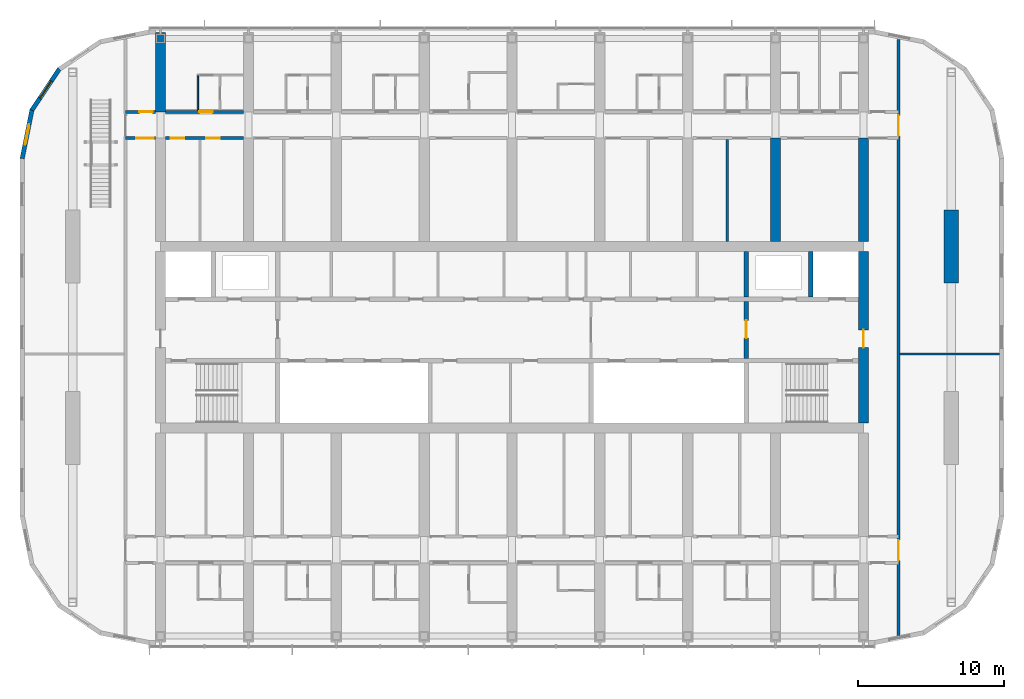
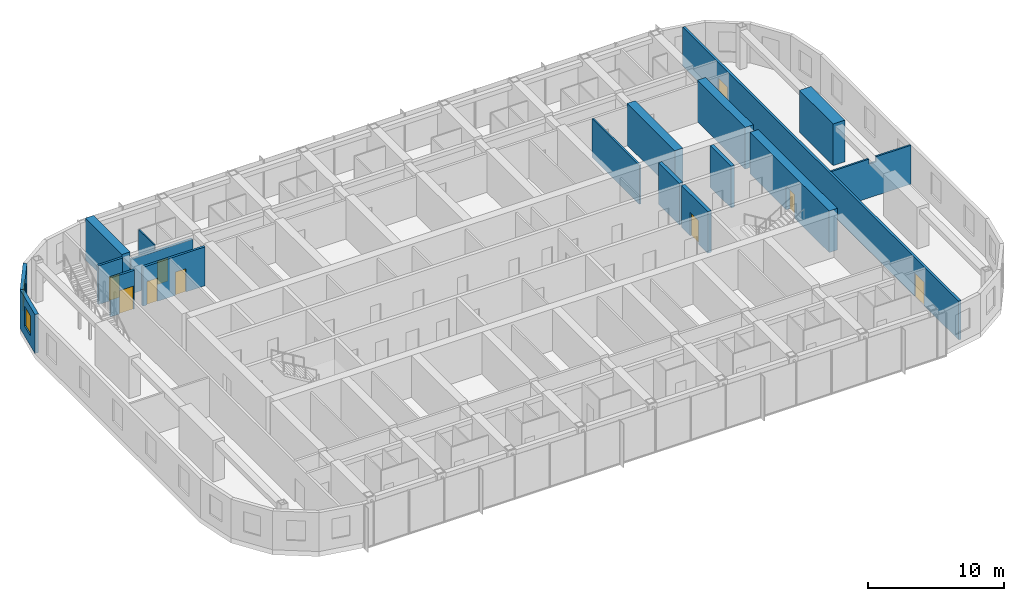
# One storey, part 17 of 27: 18 walls, 9 doors, 2 windows, 11 openings.
"""IFC4 building model written with IfcOpenShell, lengths in metres."""

from ifc_helpers import new_model, si_unit, direction, frame, frame_2d, origin, place, context, subcontext, project, spatial, polyline, rectangle, outline, extrude, material, layer, layer_set, type_object, element, fill, save


model = new_model("IFC4")

# Units and contexts
model_context = context("Model", 3, precision=1e-05, world=origin(), true_north=direction((0.0, 1.0)))
body_context = subcontext(model_context, "Body", "Model", "MODEL_VIEW")
ifc_project = project(units=[si_unit("LENGTHUNIT", "METRE"), si_unit("AREAUNIT", "SQUARE_METRE"), si_unit("VOLUMEUNIT", "CUBIC_METRE"), si_unit("PLANEANGLEUNIT", "RADIAN"), si_unit("MASSUNIT", "GRAM", prefix="KILO")], contexts=[model_context])

# Site, building, storey
site_placement = place(None, origin())
site = spatial("IfcSite", under=ifc_project, at=site_placement, CompositionType="ELEMENT")
building_placement = place(site_placement, origin())
building = spatial("IfcBuilding", under=site, at=building_placement, Name="Orbita Commons", CompositionType="ELEMENT")
storey_placement = place(building_placement, frame((0.0, 0.0, 246.550048828125)))
storey = spatial("IfcBuildingStorey", under=building, at=storey_placement, Name="L61", CompositionType="ELEMENT", Elevation=246.550048828125)

# Wall, opening, door
ifc_material_1 = material(Name="Concrete C50/60", Category="concrete")
ifc_layer_1 = layer(ifc_material_1, 0.300048828125)
ifc_layer_set_1 = layer_set([ifc_layer_1], Name="Concrete C50/60")
wall_type_1 = type_object("IfcWallType", Name="Core inner wall 300 C50/60", PredefinedType="SHEAR", material=ifc_layer_set_1)
wall_1_placement = place(storey_placement, frame((58.0, 30.550048828125, 0.0), z_axis=(0.0, 0.0, 1.0), x_axis=(0.0, 1.0, 0.0)))
wall_1 = element("IfcWall", 1, at=wall_1_placement, inside=storey, type_object=wall_type_1, Name="Firefighting lobby wall east L61", PredefinedType="SHEAR", context=body_context, shape_type="SweptSolid", body=[
    extrude(rectangle(XDim=3.89990234375, YDim=0.300048828125, at=frame_2d((1.949951171875, 0.0))), origin(), (0.0, 0.0, 1.0), 3.75),
])
opening_1_placement = place(wall_1_placement, frame((1.39990234375, 0.0, 0.0)))
opening_1 = element("IfcOpeningElement", 2, at=opening_1_placement, cuts=wall_1, Name="Opening D04", PredefinedType="OPENING", context=body_context, shape_type="SweptSolid", body=[
    extrude(rectangle(XDim=1.199951171875, YDim=2.10009765625, at=frame_2d((0.60009765625, 1.050048828125))), frame((0.0, 0.159912109375, 0.0), z_axis=(0.0, -1.0, 0.0), x_axis=(1.0, 0.0, 0.0)), (0.0, 0.0, 1.0), 0.320068359375),
])
ifc_material_2 = material(Name="Steel-faced fire door leaf", Category="steel")
door_type_1 = type_object("IfcDoorType", Name="Service door 20 min 1200x2100", OperationType="SINGLE_SWING_LEFT", PredefinedType="DOOR", material=ifc_material_2)
door_1_placement = place(opening_1_placement, origin())
door_1 = element("IfcDoor", 3, at=door_1_placement, inside=storey, type_object=door_type_1, Name="Lift lobby door east", OperationType="SINGLE_SWING_LEFT", OverallHeight=2.10009765625, OverallWidth=1.199951171875, PredefinedType="DOOR", context=body_context, shape_type="SweptSolid", body=[
    extrude(rectangle(XDim=1.199951171875, YDim=2.10009765625, at=frame_2d((0.60009765625, 1.050048828125))), frame((0.0, 0.02490234375, 0.0), z_axis=(0.0, -1.0, 0.0), x_axis=(1.0, 0.0, 0.0)), (0.0, 0.0, 1.0), 0.050048828125),
])
fill(opening_1, door_1)

# Walls
for number, where, z_axis, x_axis, name in (
    (4, (62.39990234375, 34.75, 0.0), (0.0, 0.0, 1.0), (0.0, 1.0, 0.0), "Firefighting lift FL2 shaft wall L61"),
    (5, (58.0, 34.75, 0.0), (0.0, 0.0, 1.0), (0.0, 1.0, 0.0), "Riser wall east L61"),
):
    element("IfcWall", number, at=place(storey_placement, frame(where, z_axis=z_axis, x_axis=x_axis)), inside=storey, type_object=wall_type_1, Name=name, PredefinedType="SHEAR", context=body_context, shape_type="SweptSolid", body=[
        extrude(rectangle(XDim=3.10009765625, YDim=0.300048828125, at=frame_2d((1.550048828125, 0.0))), origin(), (0.0, 0.0, 1.0), 3.75),
    ])

# Wall, opening, door
ifc_material_3 = material(Name="Concrete C50/60", Category="concrete")
ifc_layer_2 = layer(ifc_material_3, 0.699951171875)
ifc_layer_set_2 = layer_set([ifc_layer_2], Name="Concrete C50/60")
wall_type_2 = type_object("IfcWallType", Name="Core wall 700 C50/60", PredefinedType="SHEAR", material=ifc_layer_set_2)
wall_2_placement = place(storey_placement, frame((66.0, 26.14990234375, 0.0), z_axis=(0.0, 0.0, 1.0), x_axis=(0.0, 1.0, 0.0)))
wall_2 = element("IfcWall", 6, at=wall_2_placement, inside=storey, type_object=wall_type_2, Name="Core end wall east L61", PredefinedType="SHEAR", context=body_context, shape_type="SweptSolid", body=[
    extrude(rectangle(XDim=11.7001953125, YDim=0.699951171875, at=frame_2d((5.85009765625, 0.0))), origin(), (0.0, 0.0, 1.0), 3.75),
])
opening_2_placement = place(wall_2_placement, frame((5.14990234375, 0.0, 0.0)))
opening_2 = element("IfcOpeningElement", 7, at=opening_2_placement, cuts=wall_2, Name="Opening D01", PredefinedType="OPENING", context=body_context, shape_type="SweptSolid", body=[
    extrude(rectangle(XDim=1.199951171875, YDim=2.10009765625, at=frame_2d((0.60009765625, 1.050048828125))), frame((0.0, 0.35986328125, 0.0), z_axis=(0.0, -1.0, 0.0), x_axis=(1.0, 0.0, 0.0)), (0.0, 0.0, 1.0), 0.719970703125),
])
ifc_material_4 = material(Name="Steel-faced fire door leaf", Category="steel")
door_type_2 = type_object("IfcDoorType", Name="Fire door 90 min 1200x2100", OperationType="SINGLE_SWING_LEFT", PredefinedType="DOOR", material=ifc_material_4)
door_2_placement = place(opening_2_placement, origin())
door_2 = element("IfcDoor", 8, at=door_2_placement, inside=storey, type_object=door_type_2, Name="Firefighting lobby east door", OperationType="SINGLE_SWING_LEFT", OverallHeight=2.10009765625, OverallWidth=1.199951171875, PredefinedType="DOOR", context=body_context, shape_type="SweptSolid", body=[
    extrude(rectangle(XDim=1.199951171875, YDim=2.10009765625, at=frame_2d((0.60009765625, 1.050048828125))), frame((0.0, 0.02490234375, 0.0), z_axis=(0.0, -1.0, 0.0), x_axis=(1.0, 0.0, 0.0)), (0.0, 0.0, 1.0), 0.050048828125),
])
fill(opening_2, door_2)

ifc_material_5 = material(Name="Concrete blockwork", Category="masonry")
ifc_layer_3 = layer(ifc_material_5, 0.199951171875)
ifc_layer_set_3 = layer_set([ifc_layer_3], Name="Concrete blockwork")
wall_type_3 = type_object("IfcWallType", Name="Corridor wall 200 blockwork", PredefinedType="SOLIDWALL", material=ifc_layer_set_3)
wall_3_placement = place(storey_placement, frame((15.60009765625, 47.39990234375, 0.0), z_axis=(0.0, 0.0, 1.0), x_axis=(1.0, 0.0, 0.0)))
wall_3 = element("IfcWall", 9, at=wall_3_placement, inside=storey, type_object=wall_type_3, Name="Corridor wall 200 blockwork L61", PredefinedType="SOLIDWALL", context=body_context, shape_type="SweptSolid", body=[
    extrude(rectangle(XDim=2.0498046875, YDim=0.199951171875, at=frame_2d((1.02490234375, 0.0))), origin(), (0.0, 0.0, 1.0), 3.5),
])
opening_3_placement = place(wall_3_placement, frame((0.949951171875, 0.0, 0.0)))
opening_3 = element("IfcOpeningElement", 10, at=opening_3_placement, cuts=wall_3, Name="Opening D05", PredefinedType="OPENING", context=body_context, shape_type="SweptSolid", body=[
    extrude(rectangle(XDim=0.89990234375, YDim=2.10009765625, at=frame_2d((0.449951171875, 1.050048828125))), frame((0.0, 0.10986328125, 0.0), z_axis=(0.0, -1.0, 0.0), x_axis=(1.0, 0.0, 0.0)), (0.0, 0.0, 1.0), 0.219970703125),
])
ifc_material_6 = material(Name="Steel-faced fire door leaf", Category="steel")
door_type_3 = type_object("IfcDoorType", Name="Service door 20 min 900x2100", OperationType="SINGLE_SWING_LEFT", PredefinedType="DOOR", material=ifc_material_6)
door_3_placement = place(opening_3_placement, origin())
door_3 = element("IfcDoor", 11, at=door_3_placement, inside=storey, type_object=door_type_3, Name="Linen store L61-KWN door", OperationType="SINGLE_SWING_LEFT", OverallHeight=2.10009765625, OverallWidth=0.89990234375, PredefinedType="DOOR", context=body_context, shape_type="SweptSolid", body=[
    extrude(rectangle(XDim=0.89990234375, YDim=2.10009765625, at=frame_2d((0.449951171875, 1.050048828125))), frame((0.0, 0.02490234375, 0.0), z_axis=(0.0, -1.0, 0.0), x_axis=(1.0, 0.0, 0.0)), (0.0, 0.0, 1.0), 0.050048828125),
])
fill(opening_3, door_3)

wall_4_placement = place(storey_placement, frame((18.35009765625, 47.39990234375, 0.0), z_axis=(0.0, 0.0, 1.0), x_axis=(1.0, 0.0, 0.0)))
wall_4 = element("IfcWall", 12, at=wall_4_placement, inside=storey, type_object=wall_type_3, Name="Corridor wall 200 blockwork L61", PredefinedType="SOLIDWALL", context=body_context, shape_type="SweptSolid", body=[
    extrude(outline(polyline([(0.0, 0.0), (5.2998046875, 0.0), (5.300048828125, 3.099853515625), (0.0, 3.099853515625), (0.0, 0.0)])), frame((0.0, 0.10009765625, 0.0), z_axis=(0.0, -1.0, 0.0), x_axis=(1.0, 0.0, 0.0)), (0.0, 0.0, 1.0), 0.199951171875),
])
opening_4_placement = place(wall_4_placement, frame((2.300048828125, 0.0, 0.0)))
opening_4 = element("IfcOpeningElement", 13, at=opening_4_placement, cuts=wall_4, Name="Opening D11", PredefinedType="OPENING", context=body_context, shape_type="SweptSolid", body=[
    extrude(rectangle(XDim=0.89990234375, YDim=2.10009765625, at=frame_2d((0.449951171875, 1.050048828125))), frame((0.0, 0.10986328125, 0.0), z_axis=(0.0, -1.0, 0.0), x_axis=(1.0, 0.0, 0.0)), (0.0, 0.0, 1.0), 0.219970703125),
])
ifc_material_7 = material(Name="Steel-faced fire door leaf", Category="steel")
door_type_4 = type_object("IfcDoorType", Name="Corridor door 20 min 900x2100", OperationType="SINGLE_SWING_LEFT", PredefinedType="DOOR", material=ifc_material_7)
door_4_placement = place(opening_4_placement, origin())
door_4 = element("IfcDoor", 14, at=door_4_placement, inside=storey, type_object=door_type_4, Name="Studio flat L61-N00 entrance door", OperationType="SINGLE_SWING_LEFT", OverallHeight=2.10009765625, OverallWidth=0.89990234375, PredefinedType="DOOR", context=body_context, shape_type="SweptSolid", body=[
    extrude(rectangle(XDim=0.89990234375, YDim=2.10009765625, at=frame_2d((0.449951171875, 1.050048828125))), frame((0.0, 0.02490234375, 0.0), z_axis=(0.0, -1.0, 0.0), x_axis=(1.0, 0.0, 0.0)), (0.0, 0.0, 1.0), 0.050048828125),
])
fill(opening_4, door_4)

# Wall, openings, doors
wall_5_placement = place(storey_placement, frame((68.39990234375, 11.646240234375, 0.0), z_axis=(0.0, 0.0, 1.0), x_axis=(0.0, 1.0, 0.0)))
wall_5 = element("IfcWall", 15, at=wall_5_placement, inside=storey, type_object=wall_type_3, Name="Corridor wall 200 blockwork L61", PredefinedType="SOLIDWALL", context=body_context, shape_type="SweptSolid", body=[
    extrude(rectangle(XDim=40.70751953125, YDim=0.199951171875, at=frame_2d((20.353759765625, 0.0))), origin(), (0.0, 0.0, 1.0), 3.5),
])
opening_5_placement = place(wall_5_placement, frame((5.103759765625, 0.0, 0.0)))
opening_5 = element("IfcOpeningElement", 16, at=opening_5_placement, cuts=wall_5, Name="Opening D08", PredefinedType="OPENING", context=body_context, shape_type="SweptSolid", body=[
    extrude(rectangle(XDim=1.39990234375, YDim=2.10009765625, at=frame_2d((0.699951171875, 1.050048828125))), frame((0.0, 0.10986328125, 0.0), z_axis=(0.0, -1.0, 0.0), x_axis=(1.0, 0.0, 0.0)), (0.0, 0.0, 1.0), 0.219970703125),
])
opening_6_placement = place(wall_5_placement, frame((34.103759765625, 0.0, 0.0)))
opening_6 = element("IfcOpeningElement", 17, at=opening_6_placement, cuts=wall_5, Name="Opening D08", PredefinedType="OPENING", context=body_context, shape_type="SweptSolid", body=[
    extrude(rectangle(XDim=1.39990234375, YDim=2.10009765625, at=frame_2d((0.699951171875, 1.050048828125))), frame((0.0, 0.10986328125, 0.0), z_axis=(0.0, -1.0, 0.0), x_axis=(1.0, 0.0, 0.0)), (0.0, 0.0, 1.0), 0.219970703125),
])
ifc_material_8 = material(Name="Steel-faced fire door leaf", Category="steel")
door_type_5 = type_object("IfcDoorType", Name="Double corridor door 20 min 1400x2100", OperationType="DOUBLE_DOOR_SINGLE_SWING", PredefinedType="DOOR", material=ifc_material_8)
door_5_placement = place(opening_5_placement, origin())
door_5 = element("IfcDoor", 18, at=door_5_placement, inside=storey, type_object=door_type_5, Name="Lounge doors", OperationType="DOUBLE_DOOR_SINGLE_SWING", OverallHeight=2.10009765625, OverallWidth=1.39990234375, PredefinedType="DOOR", context=body_context, shape_type="SweptSolid", body=[
    extrude(rectangle(XDim=1.39990234375, YDim=2.10009765625, at=frame_2d((0.699951171875, 1.050048828125))), frame((0.0, 0.02490234375, 0.0), z_axis=(0.0, -1.0, 0.0), x_axis=(1.0, 0.0, 0.0)), (0.0, 0.0, 1.0), 0.050048828125),
])
fill(opening_5, door_5)
door_6_placement = place(opening_6_placement, origin())
door_6 = element("IfcDoor", 19, at=door_6_placement, inside=storey, type_object=door_type_5, Name="Lounge doors", OperationType="DOUBLE_DOOR_SINGLE_SWING", OverallHeight=2.10009765625, OverallWidth=1.39990234375, PredefinedType="DOOR", context=body_context, shape_type="SweptSolid", body=[
    extrude(rectangle(XDim=1.39990234375, YDim=2.10009765625, at=frame_2d((0.699951171875, 1.050048828125))), frame((0.0, 0.02490234375, 0.0), z_axis=(0.0, -1.0, 0.0), x_axis=(1.0, 0.0, 0.0)), (0.0, 0.0, 1.0), 0.050048828125),
])
fill(opening_6, door_6)

# Wall, opening, door
ifc_material_9 = material(Name="Hollow concrete block 200", Category="concrete")
ifc_layer_4 = layer(ifc_material_9, 0.199951171875)
ifc_layer_set_4 = layer_set([ifc_layer_4], Name="Hollow concrete block 200")
wall_type_4 = type_object("IfcWallType", Name="Corridor wall 200 hollow concrete block", PredefinedType="SOLIDWALL", material=ifc_layer_set_4)
wall_6_placement = place(storey_placement, frame((15.60009765625, 45.60009765625, 0.0), z_axis=(0.0, 0.0, 1.0), x_axis=(1.0, 0.0, 0.0)))
wall_6 = element("IfcWall", 20, at=wall_6_placement, inside=storey, type_object=wall_type_4, Name="Corridor wall 200 hollow concrete block L61", PredefinedType="SOLIDWALL", context=body_context, shape_type="SweptSolid", body=[
    extrude(rectangle(XDim=2.0498046875, YDim=0.199951171875, at=frame_2d((1.02490234375, 0.0))), origin(), (0.0, 0.0, 1.0), 3.5),
])
opening_7_placement = place(wall_6_placement, frame((0.75, 0.0, 0.0)))
opening_7 = element("IfcOpeningElement", 21, at=opening_7_placement, cuts=wall_6, Name="Opening D12", PredefinedType="OPENING", context=body_context, shape_type="SweptSolid", body=[
    extrude(rectangle(XDim=1.199951171875, YDim=2.10009765625, at=frame_2d((0.60009765625, 1.050048828125))), frame((0.0, 0.10986328125, 0.0), z_axis=(0.0, -1.0, 0.0), x_axis=(1.0, 0.0, 0.0)), (0.0, 0.0, 1.0), 0.219970703125),
])
ifc_material_10 = material(Name="Steel-faced fire door leaf", Category="steel")
door_type_6 = type_object("IfcDoorType", Name="Double corridor door 20 min 1200x2100", OperationType="DOUBLE_DOOR_SINGLE_SWING", PredefinedType="DOOR", material=ifc_material_10)
door_7_placement = place(opening_7_placement, origin())
door_7 = element("IfcDoor", 22, at=door_7_placement, inside=storey, type_object=door_type_6, Name="Cross corridor doors", OperationType="DOUBLE_DOOR_SINGLE_SWING", OverallHeight=2.10009765625, OverallWidth=1.199951171875, PredefinedType="DOOR", context=body_context, shape_type="SweptSolid", body=[
    extrude(rectangle(XDim=1.199951171875, YDim=2.10009765625, at=frame_2d((0.60009765625, 1.050048828125))), frame((0.0, 0.02490234375, 0.0), z_axis=(0.0, -1.0, 0.0), x_axis=(1.0, 0.0, 0.0)), (0.0, 0.0, 1.0), 0.050048828125),
])
fill(opening_7, door_7)

# Wall, openings, doors
wall_7_placement = place(storey_placement, frame((18.35009765625, 45.60009765625, 0.0), z_axis=(0.0, 0.0, 1.0), x_axis=(1.0, 0.0, 0.0)))
wall_7 = element("IfcWall", 23, at=wall_7_placement, inside=storey, type_object=wall_type_4, Name="Corridor wall 200 hollow concrete block L61", PredefinedType="SOLIDWALL", context=body_context, shape_type="SweptSolid", body=[
    extrude(rectangle(XDim=5.2998046875, YDim=0.199951171875, at=frame_2d((2.64990234375, 0.0))), origin(), (0.0, 0.0, 1.0), 3.5),
])
opening_8_placement = place(wall_7_placement, frame((0.35009765625, 0.0, 0.0)))
opening_8 = element("IfcOpeningElement", 24, at=opening_8_placement, cuts=wall_7, Name="Opening D11", PredefinedType="OPENING", context=body_context, shape_type="SweptSolid", body=[
    extrude(rectangle(XDim=0.89990234375, YDim=2.10009765625, at=frame_2d((0.449951171875, 1.050048828125))), frame((0.0, 0.10986328125, 0.0), z_axis=(0.0, -1.0, 0.0), x_axis=(1.0, 0.0, 0.0)), (0.0, 0.0, 1.0), 0.219970703125),
])
opening_9_placement = place(wall_7_placement, frame((2.77490234375, 0.0, 0.0)))
opening_9 = element("IfcOpeningElement", 25, at=opening_9_placement, cuts=wall_7, Name="Opening D11", PredefinedType="OPENING", context=body_context, shape_type="SweptSolid", body=[
    extrude(rectangle(XDim=0.89990234375, YDim=2.10009765625, at=frame_2d((0.449951171875, 1.050048828125))), frame((0.0, 0.10986328125, 0.0), z_axis=(0.0, -1.0, 0.0), x_axis=(1.0, 0.0, 0.0)), (0.0, 0.0, 1.0), 0.219970703125),
])
door_8_placement = place(opening_8_placement, origin())
door_8 = element("IfcDoor", 26, at=door_8_placement, inside=storey, type_object=door_type_4, Name="Sprinkler valve room L61-BDN18n door", OperationType="SINGLE_SWING_LEFT", OverallHeight=2.10009765625, OverallWidth=0.89990234375, PredefinedType="DOOR", context=body_context, shape_type="SweptSolid", body=[
    extrude(rectangle(XDim=0.89990234375, YDim=2.10009765625, at=frame_2d((0.449951171875, 1.050048828125))), frame((0.0, 0.02490234375, 0.0), z_axis=(0.0, -1.0, 0.0), x_axis=(1.0, 0.0, 0.0)), (0.0, 0.0, 1.0), 0.050048828125),
])
fill(opening_8, door_8)
door_9_placement = place(opening_9_placement, origin())
door_9 = element("IfcDoor", 27, at=door_9_placement, inside=storey, type_object=door_type_4, Name="Electrical and data room L61-BDN18 door", OperationType="SINGLE_SWING_LEFT", OverallHeight=2.10009765625, OverallWidth=0.89990234375, PredefinedType="DOOR", context=body_context, shape_type="SweptSolid", body=[
    extrude(rectangle(XDim=0.89990234375, YDim=2.10009765625, at=frame_2d((0.449951171875, 1.050048828125))), frame((0.0, 0.02490234375, 0.0), z_axis=(0.0, -1.0, 0.0), x_axis=(1.0, 0.0, 0.0)), (0.0, 0.0, 1.0), 0.050048828125),
])
fill(opening_9, door_9)

# Walls
ifc_material_11 = material(Name="Concrete C50/60", Category="concrete")
ifc_layer_5 = layer(ifc_material_11, 0.699951171875)
ifc_layer_set_5 = layer_set([ifc_layer_5], Name="Concrete C50/60")
wall_type_5 = type_object("IfcWallType", Name="Cross wall 700 C50/60", PredefinedType="SHEAR", material=ifc_layer_set_5)
wall_8_placement = place(storey_placement, frame((18.0, 47.39990234375, 0.0), z_axis=(0.0, 0.0, 1.0), x_axis=(0.0, 1.0, 0.0)))
element("IfcWall", 28, at=wall_8_placement, inside=storey, type_object=wall_type_5, Name="Cross wall 4 north outer L61", PredefinedType="SHEAR", context=body_context, shape_type="SweptSolid", body=[
    extrude(rectangle(XDim=5.400146484375, YDim=0.699951171875, at=frame_2d((2.7001953125, 0.0))), origin(), (0.0, 0.0, 1.0), 3.75),
])
for number, where, z_axis, x_axis, name in (
    (29, (60.0, 38.550048828125, 0.0), (0.0, 0.0, 1.0), (0.0, 1.0, 0.0), "Cross wall 11 north inner L61"),
    (30, (66.0, 38.550048828125, 0.0), (0.0, 0.0, 1.0), (0.0, 1.0, 0.0), "Cross wall 12 north inner L61"),
):
    element("IfcWall", number, at=place(storey_placement, frame(where, z_axis=z_axis, x_axis=x_axis)), inside=storey, type_object=wall_type_5, Name=name, PredefinedType="SHEAR", context=body_context, shape_type="SweptSolid", body=[
        extrude(rectangle(XDim=7.050048828125, YDim=0.699951171875, at=frame_2d((3.52490234375, 0.0))), origin(), (0.0, 0.0, 1.0), 3.75),
    ])
ifc_material_12 = material(Name="Moisture-resistant plasterboard on steel studs", Category="steel")
ifc_layer_6 = layer(ifc_material_12, 0.10009765625)
ifc_layer_set_6 = layer_set([ifc_layer_6], Name="Moisture-resistant plasterboard on steel studs")
wall_type_6 = type_object("IfcWallType", Name="En-suite partition 100", PredefinedType="PARTITIONING", material=ifc_layer_set_6)
wall_9_placement = place(storey_placement, frame((20.550048828125, 49.85009765625, 0.0), z_axis=(0.0, 0.0, 1.0), x_axis=(0.0, -1.0, 0.0)))
element("IfcWall", 31, at=wall_9_placement, inside=storey, type_object=wall_type_6, Name="En-suite partition 100 L61", PredefinedType="PARTITIONING", context=body_context, shape_type="SweptSolid", body=[
    extrude(outline(polyline([(0.0, 0.0), (2.35009765625, 0.0), (2.35009765625, 3.099853515625), (2.302001953125, 3.099853515625), (2.300048828125, 3.5), (0.0, 3.5), (0.0, 0.0)])), frame((0.0, 0.050048828125, 0.0), z_axis=(0.0, -1.0, 0.0), x_axis=(1.0, 0.0, 0.0)), (0.0, 0.0, 1.0), 0.10009765625),
])
ifc_material_13 = material(Name="Concrete C50/60", Category="concrete")
ifc_layer_7 = layer(ifc_material_13, 1.0)
ifc_layer_set_7 = layer_set([ifc_layer_7], Name="Concrete C50/60")
wall_type_7 = type_object("IfcWallType", Name="End pier 1000x5000 C50/60", PredefinedType="SHEAR", material=ifc_layer_set_7)
wall_10_placement = place(storey_placement, frame((72.0, 35.699951171875, 0.0), z_axis=(0.0, 0.0, 1.0), x_axis=(0.0, 1.0, 0.0)))
element("IfcWall", 32, at=wall_10_placement, inside=storey, type_object=wall_type_7, Name="End pier 13/D L61", PredefinedType="SHEAR", context=body_context, shape_type="SweptSolid", body=[
    extrude(rectangle(XDim=5.0, YDim=1.0, at=frame_2d((2.5, 0.0))), origin(), (0.0, 0.0, 1.0), 3.75),
])
ifc_material_14 = material(Name="Gypsum plasterboard on steel studs", Category="steel")
ifc_layer_8 = layer(ifc_material_14, 0.14990234375)
ifc_layer_set_8 = layer_set([ifc_layer_8], Name="Gypsum plasterboard on steel studs")
wall_type_8 = type_object("IfcWallType", Name="Partition 150 plasterboard", PredefinedType="PARTITIONING", material=ifc_layer_set_8)
wall_11_placement = place(storey_placement, frame((56.699951171875, 38.550048828125, 0.0), z_axis=(0.0, 0.0, 1.0), x_axis=(0.0, 1.0, 0.0)))
element("IfcWall", 33, at=wall_11_placement, inside=storey, type_object=wall_type_8, Name="Partition 150 plasterboard L61", PredefinedType="PARTITIONING", context=body_context, shape_type="SweptSolid", body=[
    extrude(rectangle(XDim=6.949951171875, YDim=0.14990234375, at=frame_2d((3.47509765625, 0.0))), origin(), (0.0, 0.0, 1.0), 3.5),
])
wall_12_placement = place(storey_placement, frame((68.47509765625, 30.85009765625, 0.0), z_axis=(0.0, 0.0, 1.0), x_axis=(1.0, 0.0, 0.0)))
element("IfcWall", 34, at=wall_12_placement, inside=storey, type_object=wall_type_8, Name="Partition 150 plasterboard L61", PredefinedType="PARTITIONING", context=body_context, shape_type="SweptSolid", body=[
    extrude(outline(polyline([(0.0, 0.0), (6.81982421875, 0.0), (6.820068359375, 3.5), (3.826904296875, 3.5), (3.824951171875, 3.050048828125), (3.22705078125, 3.050048828125), (3.22509765625, 3.5), (0.0, 3.5), (0.0, 0.0)])), frame((0.0, 0.074951171875, 0.0), z_axis=(0.0, -1.0, 0.0), x_axis=(1.0, 0.0, 0.0)), (0.0, 0.0, 1.0), 0.14990234375),
])

# Wall, opening, window
ifc_material_15 = material(Name="Precast concrete C40/50, white board-marked finish", Category="concrete")
ifc_layer_9 = layer(ifc_material_15, 0.300048828125)
ifc_layer_set_9 = layer_set([ifc_layer_9], Name="Precast concrete C40/50, white board-marked finish")
wall_type_9 = type_object("IfcWallType", Name="Precast concrete end shield 300", PredefinedType="SOLIDWALL", material=ifc_layer_set_9)
wall_13_placement = place(storey_placement, frame((11.08349609375, 50.31640625, 0.0), z_axis=(0.0, 0.0, 1.0), x_axis=(-0.555567969291, -0.831471124873, 0.0)))
wall_13 = element("IfcWall", 35, at=wall_13_placement, inside=storey, type_object=wall_type_9, Name="End shield NW chord 3 L61", PredefinedType="SOLIDWALL", context=body_context, shape_type="SweptSolid", body=[
    extrude(outline(polyline([(-0.02978515625, -0.14990234375), (3.40478515625, -0.14990234375), (3.34521484375, 0.14990234375), (0.02978515625, 0.14990234375), (-0.02978515625, -0.14990234375)])), origin(), (0.0, 0.0, 1.0), 3.5),
])
opening_10_placement = place(wall_13_placement, frame((0.987548828125, 0.0, 0.89990234375)))
opening_10 = element("IfcOpeningElement", 36, at=opening_10_placement, cuts=wall_13, Name="Opening W02", PredefinedType="OPENING", context=body_context, shape_type="SweptSolid", body=[
    extrude(rectangle(XDim=1.39990234375, YDim=1.800048828125, at=frame_2d((0.699951171875, 0.89990234375))), frame((0.0, 0.159912109375, 0.0), z_axis=(0.0, -1.0, 0.0), x_axis=(1.0, 0.0, 0.0)), (0.0, 0.0, 1.0), 0.320068359375),
])
ifc_material_16 = material(Name="Aluminium frame, clear double glazing", Category="aluminium")
window_type = type_object("IfcWindowType", Name="Deep-set window 1400x1800", PartitioningType="SINGLE_PANEL", PredefinedType="WINDOW", material=ifc_material_16)
window_1_placement = place(opening_10_placement, origin())
window_1 = element("IfcWindow", 37, at=window_1_placement, inside=storey, type_object=window_type, Name="Window L61-NW2", OverallHeight=1.800048828125, OverallWidth=1.39990234375, PartitioningType="SINGLE_PANEL", PredefinedType="WINDOW", context=body_context, shape_type="SweptSolid", body=[
    extrude(rectangle(XDim=1.39990234375, YDim=1.800048828125, at=frame_2d((0.699951171875, 0.89990234375))), frame((0.0, 0.030029296875, 0.0), z_axis=(0.0, -1.0, 0.0), x_axis=(1.0, 0.0, 0.0)), (0.0, 0.0, 1.0), 0.06005859375),
])
fill(opening_10, window_1)

wall_14_placement = place(storey_placement, frame((9.20849609375, 47.51025390625, 0.0), z_axis=(0.0, 0.0, 1.0), x_axis=(-0.19508664885, -0.980786011034, 0.0)))
wall_14 = element("IfcWall", 38, at=wall_14_placement, inside=storey, type_object=wall_type_9, Name="End shield NW chord 4 L61", PredefinedType="SOLIDWALL", context=body_context, shape_type="SweptSolid", body=[
    extrude(outline(polyline([(-0.02978515625, -0.14990234375), (3.39013671875, -0.14990234375), (3.3603515625, 0.14990234375), (0.02978515625, 0.14990234375), (-0.02978515625, -0.14990234375)])), origin(), (0.0, 0.0, 1.0), 3.5),
])
opening_11_placement = place(wall_14_placement, frame((0.987548828125, 0.0, 0.89990234375)))
opening_11 = element("IfcOpeningElement", 39, at=opening_11_placement, cuts=wall_14, Name="Opening W02", PredefinedType="OPENING", context=body_context, shape_type="SweptSolid", body=[
    extrude(rectangle(XDim=1.39990234375, YDim=1.800048828125, at=frame_2d((0.699951171875, 0.89990234375))), frame((0.0, 0.159912109375, 0.0), z_axis=(0.0, -1.0, 0.0), x_axis=(1.0, 0.0, 0.0)), (0.0, 0.0, 1.0), 0.320068359375),
])
window_2_placement = place(opening_11_placement, origin())
window_2 = element("IfcWindow", 40, at=window_2_placement, inside=storey, type_object=window_type, Name="Window L61-NW3", OverallHeight=1.800048828125, OverallWidth=1.39990234375, PartitioningType="SINGLE_PANEL", PredefinedType="WINDOW", context=body_context, shape_type="SweptSolid", body=[
    extrude(rectangle(XDim=1.39990234375, YDim=1.800048828125, at=frame_2d((0.699951171875, 0.89990234375))), frame((0.0, 0.030029296875, 0.0), z_axis=(0.0, -1.0, 0.0), x_axis=(1.0, 0.0, 0.0)), (0.0, 0.0, 1.0), 0.06005859375),
])
fill(opening_11, window_2)

save(model, "model.ifc")
